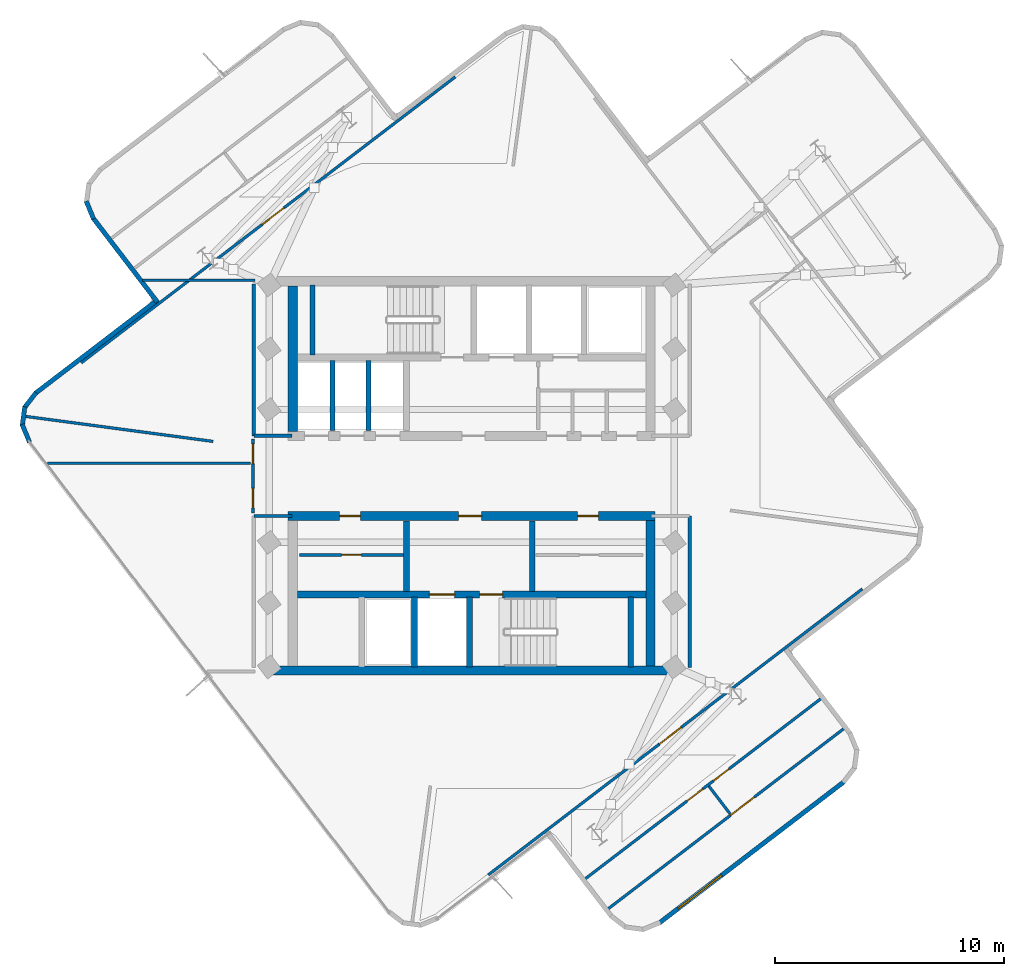
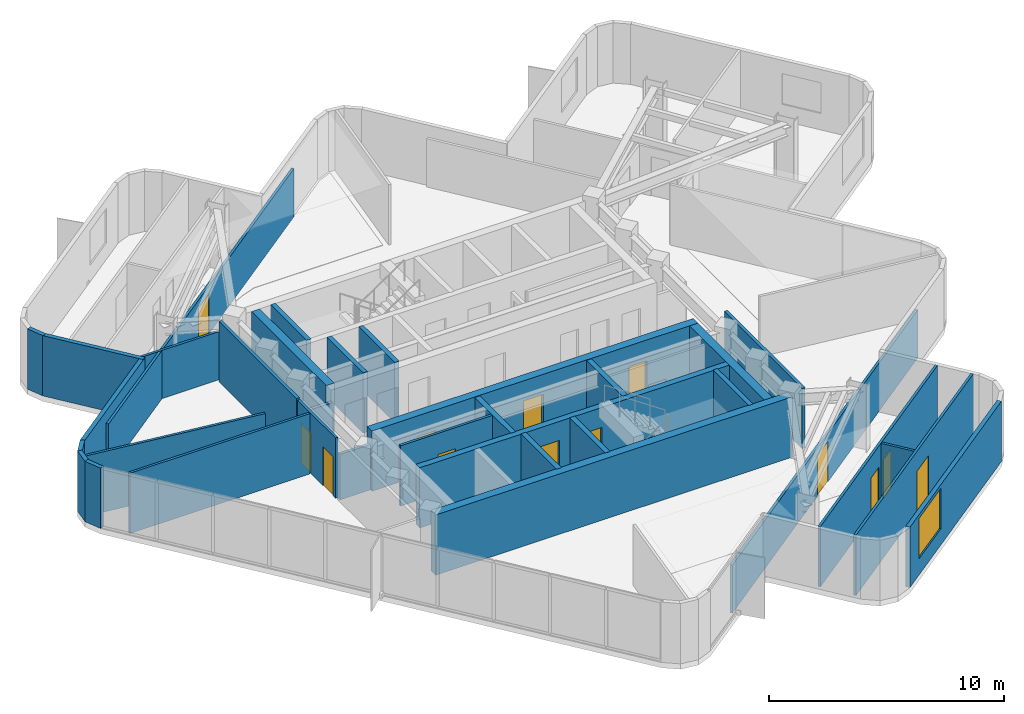
# One storey, part 5 of 9: 34 walls, 13 doors, 1 window, 14 openings.
"""IFC4 building model written with IfcOpenShell, lengths in metres."""

from ifc_helpers import new_model, si_unit, direction, frame, frame_2d, origin, place, context, subcontext, project, spatial, rectangle, extrude, material, layer, layer_set, type_object, element, fill, save


model = new_model("IFC4")

# Units and contexts
model_context = context("Model", 3, precision=1e-05, world=origin(), true_north=direction((0.0, 1.0)))
body_context = subcontext(model_context, "Body", "Model", "MODEL_VIEW")
ifc_project = project(units=[si_unit("LENGTHUNIT", "METRE"), si_unit("AREAUNIT", "SQUARE_METRE"), si_unit("VOLUMEUNIT", "CUBIC_METRE"), si_unit("PLANEANGLEUNIT", "RADIAN"), si_unit("MASSUNIT", "GRAM", prefix="KILO")], contexts=[model_context])

# Site, building, storey
site_placement = place(None, origin())
site = spatial("IfcSite", under=ifc_project, at=site_placement, CompositionType="ELEMENT")
building_placement = place(site_placement, origin())
building = spatial("IfcBuilding", under=site, at=building_placement, Name="Solmarez Civic Tower", CompositionType="ELEMENT")
storey_placement = place(building_placement, frame((0.0, 0.0, 229.139892578125)))
storey = spatial("IfcBuildingStorey", under=building, at=storey_placement, Name="L61", CompositionType="ELEMENT", Elevation=229.139892578125)

# Walls
ifc_material_1 = material(Name="Concrete C50/60", Category="concrete")
ifc_layer_1 = layer(ifc_material_1, 0.39990234375)
ifc_layer_set_1 = layer_set([ifc_layer_1], Name="Concrete C50/60")
wall_type_1 = type_object("IfcWallType", Name="WALL-CORE-400", PredefinedType="SHEAR", material=ifc_layer_set_1)
wall_1_placement = place(storey_placement, frame((-7.820068359375, 1.949951171875, 0.0), z_axis=(0.0, 0.0, 1.0), x_axis=(0.0, 1.0, 0.0)))
element("IfcWall", 1, at=wall_1_placement, inside=storey, type_object=wall_type_1, Name="L61 Split-Core Structural Wall NCW-W-L61", PredefinedType="SHEAR", context=body_context, shape_type="SweptSolid", body=[
    extrude(rectangle(XDim=6.360107421875, YDim=0.39990234375, at=frame_2d((3.18017578125, 0.0))), origin(), (0.0, 0.0, 1.0), 3.14013671875),
])
wall_2_placement = place(storey_placement, frame((8.780029296875, -8.510009765625, 0.0), z_axis=(0.0, 0.0, 1.0), x_axis=(-1.0, 0.0, 0.0)))
element("IfcWall", 2, at=wall_2_placement, inside=storey, type_object=wall_type_1, Name="L61 Split-Core Structural Wall SCW-S-L61", PredefinedType="SHEAR", context=body_context, shape_type="SweptSolid", body=[
    extrude(rectangle(XDim=17.56005859375, YDim=0.39990234375, at=frame_2d((8.780029296875, 0.0))), origin(), (0.0, 0.0, 1.0), 3.14013671875),
])

# Wall, openings, doors
wall_3_placement = place(storey_placement, frame((-8.02001953125, -1.75, 0.0), z_axis=(0.0, 0.0, 1.0), x_axis=(1.0, 0.0, 0.0)))
wall_3 = element("IfcWall", 3, at=wall_3_placement, inside=storey, type_object=wall_type_1, Name="L61 Split-Core Structural Wall SCW-N-L61", PredefinedType="SHEAR", context=body_context, shape_type="SweptSolid", body=[
    extrude(rectangle(XDim=16.0400390625, YDim=0.39990234375, at=frame_2d((8.02001953125, 0.0))), origin(), (0.0, 0.0, 1.0), 3.14013671875),
])
opening_1_placement = place(wall_3_placement, frame((7.449951171875, 0.0, 0.0)))
opening_1 = element("IfcOpeningElement", 4, at=opening_1_placement, cuts=wall_3, Name="Opening D-04", PredefinedType="OPENING", context=body_context, shape_type="SweptSolid", body=[
    extrude(rectangle(XDim=1.0, YDim=2.10009765625, at=frame_2d((0.5, 1.050048828125))), frame((0.0, 0.2099609375, 0.0), z_axis=(0.0, -1.0, 0.0), x_axis=(1.0, 0.0, 0.0)), (0.0, 0.0, 1.0), 0.419921875),
])
opening_2_placement = place(wall_3_placement, frame((12.64990234375, 0.0, 0.0)))
opening_2 = element("IfcOpeningElement", 5, at=opening_2_placement, cuts=wall_3, Name="Opening D-09", PredefinedType="OPENING", context=body_context, shape_type="SweptSolid", body=[
    extrude(rectangle(XDim=0.89990234375, YDim=2.06005859375, at=frame_2d((0.449951171875, 1.030029296875))), frame((0.0, 0.2099609375, 0.0), z_axis=(0.0, -1.0, 0.0), x_axis=(1.0, 0.0, 0.0)), (0.0, 0.0, 1.0), 0.419921875),
])
opening_3_placement = place(wall_3_placement, frame((2.25, 0.0, 0.0)))
opening_3 = element("IfcOpeningElement", 6, at=opening_3_placement, cuts=wall_3, Name="Opening D-09", PredefinedType="OPENING", context=body_context, shape_type="SweptSolid", body=[
    extrude(rectangle(XDim=0.89990234375, YDim=2.06005859375, at=frame_2d((0.449951171875, 1.030029296875))), frame((0.0, 0.2099609375, 0.0), z_axis=(0.0, -1.0, 0.0), x_axis=(1.0, 0.0, 0.0)), (0.0, 0.0, 1.0), 0.419921875),
])
ifc_material_2 = material(Name="Steel-Faced Acoustic Fire Door", Category="steel")
door_type_1 = type_object("IfcDoorType", Name="DOOR-FD60-1000", OperationType="NOTDEFINED", PredefinedType="DOOR", material=ifc_material_2)
door_1_placement = place(opening_1_placement, origin())
door_1 = element("IfcDoor", 7, at=door_1_placement, inside=storey, type_object=door_type_1, Name="L61 South Firefighting Lobby Door", OperationType="SINGLE_SWING_LEFT", OverallHeight=2.10009765625, OverallWidth=1.0, PredefinedType="DOOR", context=body_context, shape_type="SweptSolid", body=[
    extrude(rectangle(XDim=1.0, YDim=2.10009765625, at=frame_2d((0.5, 1.050048828125))), frame((0.0, 0.02490234375, 0.0), z_axis=(0.0, -1.0, 0.0), x_axis=(1.0, 0.0, 0.0)), (0.0, 0.0, 1.0), 0.050048828125),
])
fill(opening_1, door_1)
ifc_material_3 = material(Name="Fire-Rated Service Core Door", Category="wood")
door_type_2 = type_object("IfcDoorType", Name="DOOR-FD60-900", OperationType="NOTDEFINED", PredefinedType="DOOR", material=ifc_material_3)
door_2_placement = place(opening_2_placement, origin())
door_2 = element("IfcDoor", 8, at=door_2_placement, inside=storey, type_object=door_type_2, Name="L61 Freed Hoistway Mailroom Door", OperationType="SINGLE_SWING_LEFT", OverallHeight=2.06005859375, OverallWidth=0.89990234375, PredefinedType="DOOR", context=body_context, shape_type="SweptSolid", body=[
    extrude(rectangle(XDim=0.89990234375, YDim=2.06005859375, at=frame_2d((0.449951171875, 1.030029296875))), frame((0.0, 0.02490234375, 0.0), z_axis=(0.0, -1.0, 0.0), x_axis=(1.0, 0.0, 0.0)), (0.0, 0.0, 1.0), 0.050048828125),
])
fill(opening_2, door_2)
door_3_placement = place(opening_3_placement, origin())
door_3 = element("IfcDoor", 9, at=door_3_placement, inside=storey, type_object=door_type_2, Name="L61 Staff Kitchenette Pantry Door", OperationType="SINGLE_SWING_RIGHT", OverallHeight=2.06005859375, OverallWidth=0.89990234375, PredefinedType="DOOR", context=body_context, shape_type="SweptSolid", body=[
    extrude(rectangle(XDim=0.89990234375, YDim=2.06005859375, at=frame_2d((0.449951171875, 1.030029296875))), frame((0.0, 0.02490234375, 0.0), z_axis=(0.0, -1.0, 0.0), x_axis=(1.0, 0.0, 0.0)), (0.0, 0.0, 1.0), 0.050048828125),
])
fill(opening_3, door_3)

# Walls
wall_4_placement = place(storey_placement, frame((7.820068359375, -1.949951171875, 0.0), z_axis=(0.0, 0.0, 1.0), x_axis=(0.0, -1.0, 0.0)))
element("IfcWall", 10, at=wall_4_placement, inside=storey, type_object=wall_type_1, Name="L61 Split-Core Structural Wall SCW-E-L61", PredefinedType="SHEAR", context=body_context, shape_type="SweptSolid", body=[
    extrude(rectangle(XDim=6.360107421875, YDim=0.39990234375, at=frame_2d((3.18017578125, 0.0))), origin(), (0.0, 0.0, 1.0), 3.14013671875),
])
ifc_material_4 = material(Name="Precast concrete C40/50", Category="concrete")
ifc_layer_2 = layer(ifc_material_4, 0.199951171875)
ifc_layer_set_2 = layer_set([ifc_layer_2], Name="Precast concrete C40/50")
wall_type_2 = type_object("IfcWallType", Name="WALL-EXT-200", PredefinedType="SOLIDWALL", material=ifc_layer_set_2)
wall_5_placement = place(storey_placement, frame((-19.326904296875, 1.47802734375, 0.0), z_axis=(0.0, 0.0, 1.0), x_axis=(-0.382171551451, 0.924091394431, 0.0)))
element("IfcWall", 11, at=wall_5_placement, inside=storey, type_object=wall_type_2, Name="L61 Exterior Precast Wall 7", PredefinedType="SOLIDWALL", context=body_context, shape_type="SweptSolid", body=[
    extrude(rectangle(XDim=0.83740234375, YDim=0.199951171875, at=frame_2d((0.418701171875, 0.0))), origin(), (0.0, 0.0, 1.0), 3.14013671875),
])
wall_6_placement = place(storey_placement, frame((-19.639892578125, 2.2041015625, 0.0), z_axis=(0.0, 0.0, 1.0), x_axis=(0.130806653943, 0.99140789753, 0.0)))
element("IfcWall", 12, at=wall_6_placement, inside=storey, type_object=wall_type_2, Name="L61 Exterior Precast Wall 8", PredefinedType="SOLIDWALL", context=body_context, shape_type="SweptSolid", body=[
    extrude(rectangle(XDim=0.824951171875, YDim=0.199951171875, at=frame_2d((0.41259765625, 0.0))), origin(), (0.0, 0.0, 1.0), 3.14013671875),
])
wall_7_placement = place(storey_placement, frame((-19.550048828125, 2.97705078125, 0.0), z_axis=(0.0, 0.0, 1.0), x_axis=(0.609274558022, 0.792959338773, 0.0)))
element("IfcWall", 13, at=wall_7_placement, inside=storey, type_object=wall_type_2, Name="L61 Exterior Precast Wall 9", PredefinedType="SOLIDWALL", context=body_context, shape_type="SweptSolid", body=[
    extrude(rectangle(XDim=0.838623046875, YDim=0.199951171875, at=frame_2d((0.41943359375, 0.0))), origin(), (0.0, 0.0, 1.0), 3.14013671875),
])
wall_8_placement = place(storey_placement, frame((-19.073974609375, 3.60693359375, 0.0), z_axis=(0.0, 0.0, 1.0), x_axis=(0.794465731546, 0.607308983466, 0.0)))
element("IfcWall", 14, at=wall_8_placement, inside=storey, type_object=wall_type_2, Name="L61 Exterior Precast Wall 10", PredefinedType="SOLIDWALL", context=body_context, shape_type="SweptSolid", body=[
    extrude(rectangle(XDim=6.742919921875, YDim=0.199951171875, at=frame_2d((3.37158203125, 0.0))), origin(), (0.0, 0.0, 1.0), 3.14013671875),
])
wall_9_placement = place(storey_placement, frame((-13.73193359375, 7.589111328125, 0.0), z_axis=(0.0, 0.0, 1.0), x_axis=(-0.607428636372, 0.794374251669, 0.0)))
element("IfcWall", 15, at=wall_9_placement, inside=storey, type_object=wall_type_2, Name="L61 Exterior Precast Wall 13", PredefinedType="SOLIDWALL", context=body_context, shape_type="SweptSolid", body=[
    extrude(rectangle(XDim=4.642578125, YDim=0.199951171875, at=frame_2d((2.3212890625, 0.0))), origin(), (0.0, 0.0, 1.0), 3.14013671875),
])
wall_10_placement = place(storey_placement, frame((-16.527099609375, 11.23388671875, 0.0), z_axis=(0.0, 0.0, 1.0), x_axis=(-0.381408676087, 0.924406524104, 0.0)))
element("IfcWall", 16, at=wall_10_placement, inside=storey, type_object=wall_type_2, Name="L61 Exterior Precast Wall 14", PredefinedType="SOLIDWALL", context=body_context, shape_type="SweptSolid", body=[
    extrude(rectangle(XDim=0.838623046875, YDim=0.199951171875, at=frame_2d((0.41943359375, 0.0))), origin(), (0.0, 0.0, 1.0), 3.14013671875),
])

# Wall, opening, window
wall_11_placement = place(storey_placement, frame((16.27392578125, -13.363037109375, 0.0), z_axis=(0.0, 0.0, 1.0), x_axis=(-0.794458044917, -0.607319038781, 0.0)))
wall_11 = element("IfcWall", 17, at=wall_11_placement, inside=storey, type_object=wall_type_2, Name="L61 Exterior Precast Wall 53", PredefinedType="SOLIDWALL", context=body_context, shape_type="SweptSolid", body=[
    extrude(rectangle(XDim=10.1640625, YDim=0.199951171875, at=frame_2d((5.08203125, 0.0))), origin(), (0.0, 0.0, 1.0), 3.14013671875),
])
opening_4_placement = place(wall_11_placement, frame((6.72802734375, 0.0, 0.85009765625)))
opening_4 = element("IfcOpeningElement", 18, at=opening_4_placement, cuts=wall_11, Name="Opening W-02", PredefinedType="OPENING", context=body_context, shape_type="SweptSolid", body=[
    extrude(rectangle(XDim=2.39990234375, YDim=2.10009765625, at=frame_2d((1.199951171875, 1.050048828125))), frame((0.0, 0.10986328125, 0.0), z_axis=(0.0, -1.0, 0.0), x_axis=(1.0, 0.0, 0.0)), (0.0, 0.0, 1.0), 0.219970703125),
])
ifc_material_5 = material(Name="Solar Control Bronze-Tinted Insulating Glass", Category="glass")
window_type = type_object("IfcWindowType", Name="WIN-2400X2100", PartitioningType="SINGLE_PANEL", PredefinedType="WINDOW", material=ifc_material_5)
window_placement = place(opening_4_placement, origin())
window = element("IfcWindow", 19, at=window_placement, inside=storey, type_object=window_type, Name="L61 Exterior Facade Window 53", OverallHeight=2.10009765625, OverallWidth=2.39990234375, PartitioningType="SINGLE_PANEL", PredefinedType="WINDOW", context=body_context, shape_type="SweptSolid", body=[
    extrude(rectangle(XDim=2.39990234375, YDim=2.10009765625, at=frame_2d((1.199951171875, 1.050048828125))), frame((0.0, 0.030029296875, 0.0), z_axis=(0.0, -1.0, 0.0), x_axis=(1.0, 0.0, 0.0)), (0.0, 0.0, 1.0), 0.06005859375),
])
fill(opening_4, window)

# Walls
ifc_material_6 = material(Name="Gypsum Board Acoustic Steel-Stud Partition", Category="steel")
ifc_layer_3 = layer(ifc_material_6, 0.14990234375)
ifc_layer_set_3 = layer_set([ifc_layer_3], Name="Gypsum Board Acoustic Steel-Stud Partition")
wall_type_3 = type_object("IfcWallType", Name="WALL-INT-FIRE-150", PredefinedType="PARTITIONING", material=ifc_layer_set_3)
wall_12_placement = place(storey_placement, frame((-9.52001953125, 1.75, 0.0), z_axis=(0.0, 0.0, 1.0), x_axis=(0.0, 1.0, 0.0)))
element("IfcWall", 20, at=wall_12_placement, inside=storey, type_object=wall_type_3, Name="L61 Interior Partition CHW-L61-WN1", PredefinedType="PARTITIONING", context=body_context, shape_type="SweptSolid", body=[
    extrude(rectangle(XDim=6.6298828125, YDim=0.14990234375, at=frame_2d((3.31494140625, 0.0))), origin(), (0.0, 0.0, 1.0), 3.14013671875),
])
for number, where, z_axis, x_axis, name in (
    (21, (-7.85009765625, 1.75, 0.0), (0.0, 0.0, 1.0), (-1.0, 0.0, 0.0), "L61 Interior Partition CHW-L61-WN3"),
    (22, (-7.85009765625, -1.75, 0.0), (0.0, 0.0, 1.0), (-1.0, 0.0, 0.0), "L61 Interior Partition CHW-L61-WS3"),
):
    element("IfcWall", number, at=place(storey_placement, frame(where, z_axis=z_axis, x_axis=x_axis)), inside=storey, type_object=wall_type_3, Name=name, PredefinedType="PARTITIONING", context=body_context, shape_type="SweptSolid", body=[
        extrude(rectangle(XDim=1.669921875, YDim=0.14990234375, at=frame_2d((0.8349609375, 0.0))), origin(), (0.0, 0.0, 1.0), 2.3701171875),
    ])
wall_13_placement = place(storey_placement, frame((9.52001953125, -8.3798828125, 0.0), z_axis=(0.0, 0.0, 1.0), x_axis=(0.0, 1.0, 0.0)))
element("IfcWall", 23, at=wall_13_placement, inside=storey, type_object=wall_type_3, Name="L61 Interior Partition CHW-L61-ES1", PredefinedType="PARTITIONING", context=body_context, shape_type="SweptSolid", body=[
    extrude(rectangle(XDim=6.6298828125, YDim=0.14990234375, at=frame_2d((3.31494140625, 0.0))), origin(), (0.0, 0.0, 1.0), 3.14013671875),
])

# Wall, opening, door
ifc_layer_4 = layer(ifc_material_6, 0.1201171875)
ifc_layer_set_4 = layer_set([ifc_layer_4], Name="Gypsum Board Acoustic Steel-Stud Partition")
wall_type_4 = type_object("IfcWallType", Name="WALL-INT-PART-120", PredefinedType="PARTITIONING", material=ifc_layer_set_4)
wall_14_placement = place(storey_placement, frame((-7.52001953125, -3.449951171875, 0.0), z_axis=(0.0, 0.0, 1.0), x_axis=(1.0, 0.0, 0.0)))
wall_14 = element("IfcWall", 24, at=wall_14_placement, inside=storey, type_object=wall_type_4, Name="L61 Interior Partition PT-FPLM-L61", PredefinedType="PARTITIONING", context=body_context, shape_type="SweptSolid", body=[
    extrude(rectangle(XDim=4.5400390625, YDim=0.1201171875, at=frame_2d((2.27001953125, 0.0))), origin(), (0.0, 0.0, 1.0), 3.14013671875),
])
opening_5_placement = place(wall_14_placement, frame((1.840087890625, 0.0, 0.0)))
opening_5 = element("IfcOpeningElement", 25, at=opening_5_placement, cuts=wall_14, Name="Opening D-14", PredefinedType="OPENING", context=body_context, shape_type="SweptSolid", body=[
    extrude(rectangle(XDim=0.860107421875, YDim=2.0400390625, at=frame_2d((0.43017578125, 1.02001953125))), frame((0.0, 0.070068359375, 0.0), z_axis=(0.0, -1.0, 0.0), x_axis=(1.0, 0.0, 0.0)), (0.0, 0.0, 1.0), 0.14013671875),
])
ifc_material_7 = material(Name="Timber Storage and Pantry Door", Category="wood")
door_type_3 = type_object("IfcDoorType", Name="DOOR-INT-850", OperationType="NOTDEFINED", PredefinedType="DOOR", material=ifc_material_7)
door_4_placement = place(opening_5_placement, origin())
door_4 = element("IfcDoor", 26, at=door_4_placement, inside=storey, type_object=door_type_3, Name="L61 Directorate Copy Office Door", OperationType="SINGLE_SWING_RIGHT", OverallHeight=2.0400390625, OverallWidth=0.860107421875, PredefinedType="DOOR", context=body_context, shape_type="SweptSolid", body=[
    extrude(rectangle(XDim=0.860107421875, YDim=2.0400390625, at=frame_2d((0.43017578125, 1.02001953125))), frame((0.0, 0.02490234375, 0.0), z_axis=(0.0, -1.0, 0.0), x_axis=(1.0, 0.0, 0.0)), (0.0, 0.0, 1.0), 0.050048828125),
])
fill(opening_5, door_4)

# Walls
wall_15_placement = place(storey_placement, frame((-18.528076171875, 0.550048828125, 0.0), z_axis=(0.0, 0.0, 1.0), x_axis=(1.0, 0.0, 0.0)))
element("IfcWall", 27, at=wall_15_placement, inside=storey, type_object=wall_type_4, Name="L61 Interior Partition PT-L61-WH-DIV", PredefinedType="PARTITIONING", context=body_context, shape_type="SweptSolid", body=[
    extrude(rectangle(XDim=8.8681640625, YDim=0.1201171875, at=frame_2d((4.43408203125, 0.0))), origin(), (0.0, 0.0, 1.0), 3.14013671875),
])
wall_16_placement = place(storey_placement, frame((-14.385986328125, 8.550048828125, 0.0), z_axis=(0.0, 0.0, 1.0), x_axis=(1.0, 0.0, 0.0)))
element("IfcWall", 28, at=wall_16_placement, inside=storey, type_object=wall_type_4, Name="L61 Interior Partition PT-L61-WH-BN", PredefinedType="PARTITIONING", context=body_context, shape_type="SweptSolid", body=[
    extrude(rectangle(XDim=4.906005859375, YDim=0.1201171875, at=frame_2d((2.453125, 0.0))), origin(), (0.0, 0.0, 1.0), 2.510009765625),
])

# Wall, openings, doors
wall_17_placement = place(storey_placement, frame((-9.56005859375, -1.6201171875, 0.0), z_axis=(0.0, 0.0, 1.0), x_axis=(0.0, 1.0, 0.0)))
wall_17 = element("IfcWall", 29, at=wall_17_placement, inside=storey, type_object=wall_type_4, Name="L61 Interior Partition PT-L61-WH-ENT", PredefinedType="PARTITIONING", context=body_context, shape_type="SweptSolid", body=[
    extrude(rectangle(XDim=3.240234375, YDim=0.1201171875, at=frame_2d((1.6201171875, 0.0))), origin(), (0.0, 0.0, 1.0), 3.14013671875),
])
opening_6_placement = place(wall_17_placement, frame((0.219970703125, 0.0, 0.0)))
opening_6 = element("IfcOpeningElement", 30, at=opening_6_placement, cuts=wall_17, Name="Opening D-14", PredefinedType="OPENING", context=body_context, shape_type="SweptSolid", body=[
    extrude(rectangle(XDim=0.860107421875, YDim=2.0400390625, at=frame_2d((0.43017578125, 1.02001953125))), frame((0.0, 0.070068359375, 0.0), z_axis=(0.0, -1.0, 0.0), x_axis=(1.0, 0.0, 0.0)), (0.0, 0.0, 1.0), 0.14013671875),
])
opening_7_placement = place(wall_17_placement, frame((2.159912109375, 0.0, 0.0)))
opening_7 = element("IfcOpeningElement", 31, at=opening_7_placement, cuts=wall_17, Name="Opening D-14", PredefinedType="OPENING", context=body_context, shape_type="SweptSolid", body=[
    extrude(rectangle(XDim=0.860107421875, YDim=2.0400390625, at=frame_2d((0.43017578125, 1.02001953125))), frame((0.0, 0.070068359375, 0.0), z_axis=(0.0, -1.0, 0.0), x_axis=(1.0, 0.0, 0.0)), (0.0, 0.0, 1.0), 0.14013671875),
])
door_5_placement = place(opening_6_placement, origin())
door_5 = element("IfcDoor", 32, at=door_5_placement, inside=storey, type_object=door_type_3, Name="L61 Policy Administration Office West Second Door", OperationType="SINGLE_SWING_RIGHT", OverallHeight=2.0400390625, OverallWidth=0.860107421875, PredefinedType="DOOR", context=body_context, shape_type="SweptSolid", body=[
    extrude(rectangle(XDim=0.860107421875, YDim=2.0400390625, at=frame_2d((0.43017578125, 1.02001953125))), frame((0.0, 0.02490234375, 0.0), z_axis=(0.0, -1.0, 0.0), x_axis=(1.0, 0.0, 0.0)), (0.0, 0.0, 1.0), 0.050048828125),
])
fill(opening_6, door_5)
door_6_placement = place(opening_7_placement, origin())
door_6 = element("IfcDoor", 33, at=door_6_placement, inside=storey, type_object=door_type_3, Name="L61 Legal Study Room West First Door", OperationType="SINGLE_SWING_LEFT", OverallHeight=2.0400390625, OverallWidth=0.860107421875, PredefinedType="DOOR", context=body_context, shape_type="SweptSolid", body=[
    extrude(rectangle(XDim=0.860107421875, YDim=2.0400390625, at=frame_2d((0.43017578125, 1.02001953125))), frame((0.0, 0.02490234375, 0.0), z_axis=(0.0, -1.0, 0.0), x_axis=(1.0, 0.0, 0.0)), (0.0, 0.0, 1.0), 0.050048828125),
])
fill(opening_7, door_6)

# Wall
wall_18_placement = place(storey_placement, frame((-11.300048828125, 1.508056640625, 0.0), z_axis=(0.0, 0.0, 1.0), x_axis=(-0.99121735818, 0.132242764804, 0.0)))
element("IfcWall", 34, at=wall_18_placement, inside=storey, type_object=wall_type_4, Name="L61 Interior Partition PT-L61-QDIV-2", PredefinedType="PARTITIONING", context=body_context, shape_type="SweptSolid", body=[
    extrude(rectangle(XDim=8.294677734375, YDim=0.1201171875, at=frame_2d((4.1474609375, 0.0))), origin(), (0.0, 0.0, 1.0), 3.14013671875),
])

# Wall, opening, door
wall_19_placement = place(storey_placement, frame((-17.068115234375, 4.93896484375, 0.0), z_axis=(0.0, 0.0, 1.0), x_axis=(0.794433927634, 0.607350586255, 0.0)))
wall_19 = element("IfcWall", 35, at=wall_19_placement, inside=storey, type_object=wall_type_4, Name="L61 Interior Partition PT-L61-N-ENT", PredefinedType="PARTITIONING", context=body_context, shape_type="SweptSolid", body=[
    extrude(rectangle(XDim=20.57958984375, YDim=0.1201171875, at=frame_2d((10.289794921875, 0.0))), origin(), (0.0, 0.0, 1.0), 2.510009765625),
])
opening_8_placement = place(wall_19_placement, frame((9.9599609375, 0.0, 0.0)))
opening_8 = element("IfcOpeningElement", 36, at=opening_8_placement, cuts=wall_19, Name="Opening D-11", PredefinedType="OPENING", context=body_context, shape_type="SweptSolid", body=[
    extrude(rectangle(XDim=1.199951171875, YDim=2.10009765625, at=frame_2d((0.60009765625, 1.050048828125))), frame((0.0, 0.070068359375, 0.0), z_axis=(0.0, -1.0, 0.0), x_axis=(1.0, 0.0, 0.0)), (0.0, 0.0, 1.0), 0.14013671875),
])
ifc_material_8 = material(Name="Glazed-Vision Acoustic Chamber Door", Category="wood")
door_type_4 = type_object("IfcDoorType", Name="DOOR-INT-1200", OperationType="NOTDEFINED", PredefinedType="DOOR", material=ifc_material_8)
door_7_placement = place(opening_8_placement, origin())
door_7 = element("IfcDoor", 37, at=door_7_placement, inside=storey, type_object=door_type_4, Name="L61 Public Reading Room First North Door", OperationType="SINGLE_SWING_LEFT", OverallHeight=2.10009765625, OverallWidth=1.199951171875, PredefinedType="DOOR", context=body_context, shape_type="SweptSolid", body=[
    extrude(rectangle(XDim=1.199951171875, YDim=2.10009765625, at=frame_2d((0.60009765625, 1.050048828125))), frame((0.0, 0.02490234375, 0.0), z_axis=(0.0, -1.0, 0.0), x_axis=(1.0, 0.0, 0.0)), (0.0, 0.0, 1.0), 0.050048828125),
])
fill(opening_8, door_7)

wall_20_placement = place(storey_placement, frame((17.068115234375, -4.93896484375, 0.0), z_axis=(0.0, 0.0, 1.0), x_axis=(-0.794433927634, -0.607350586255, 0.0)))
wall_20 = element("IfcWall", 38, at=wall_20_placement, inside=storey, type_object=wall_type_4, Name="L61 Interior Partition PT-L61-S-ENT", PredefinedType="PARTITIONING", context=body_context, shape_type="SweptSolid", body=[
    extrude(rectangle(XDim=20.57958984375, YDim=0.1201171875, at=frame_2d((10.289794921875, 0.0))), origin(), (0.0, 0.0, 1.0), 2.510009765625),
])
opening_9_placement = place(wall_20_placement, frame((9.9599609375, 0.0, 0.0)))
opening_9 = element("IfcOpeningElement", 39, at=opening_9_placement, cuts=wall_20, Name="Opening D-11", PredefinedType="OPENING", context=body_context, shape_type="SweptSolid", body=[
    extrude(rectangle(XDim=1.199951171875, YDim=2.10009765625, at=frame_2d((0.60009765625, 1.050048828125))), frame((0.0, 0.070068359375, 0.0), z_axis=(0.0, -1.0, 0.0), x_axis=(1.0, 0.0, 0.0)), (0.0, 0.0, 1.0), 0.14013671875),
])
door_8_placement = place(opening_9_placement, origin())
door_8 = element("IfcDoor", 40, at=door_8_placement, inside=storey, type_object=door_type_4, Name="L61 Policy Administration Office First South Door", OperationType="SINGLE_SWING_LEFT", OverallHeight=2.10009765625, OverallWidth=1.199951171875, PredefinedType="DOOR", context=body_context, shape_type="SweptSolid", body=[
    extrude(rectangle(XDim=1.199951171875, YDim=2.10009765625, at=frame_2d((0.60009765625, 1.050048828125))), frame((0.0, 0.02490234375, 0.0), z_axis=(0.0, -1.0, 0.0), x_axis=(1.0, 0.0, 0.0)), (0.0, 0.0, 1.0), 0.050048828125),
])
fill(opening_9, door_8)

# Wall
wall_21_placement = place(storey_placement, frame((10.362060546875, -13.552978515625, 0.0), z_axis=(0.0, 0.0, 1.0), x_axis=(0.6073553069, -0.794430318644, 0.0)))
element("IfcWall", 41, at=wall_21_placement, inside=storey, type_object=wall_type_4, Name="L61 Interior Partition PT-L61-S-MM", PredefinedType="PARTITIONING", context=body_context, shape_type="SweptSolid", body=[
    extrude(rectangle(XDim=1.529541015625, YDim=0.1201171875, at=frame_2d((0.7646484375, 0.0))), origin(), (0.0, 0.0, 1.0), 3.14013671875),
])

# Wall, openings, doors
wall_22_placement = place(storey_placement, frame((4.943115234375, -17.6201171875, 0.0), z_axis=(0.0, 0.0, 1.0), x_axis=(0.79442653656, 0.607360253893, 0.0)))
wall_22 = element("IfcWall", 42, at=wall_22_placement, inside=storey, type_object=wall_type_4, Name="L61 Interior Partition PT-L61-S-S1", PredefinedType="PARTITIONING", context=body_context, shape_type="SweptSolid", body=[
    extrude(rectangle(XDim=13.010498046875, YDim=0.1201171875, at=frame_2d((6.50537109375, 0.0))), origin(), (0.0, 0.0, 1.0), 3.14013671875),
])
opening_10_placement = place(wall_22_placement, frame((5.625, 0.0, 0.0)))
opening_10 = element("IfcOpeningElement", 43, at=opening_10_placement, cuts=wall_22, Name="Opening D-14", PredefinedType="OPENING", context=body_context, shape_type="SweptSolid", body=[
    extrude(rectangle(XDim=0.860107421875, YDim=2.0400390625, at=frame_2d((0.43017578125, 1.02001953125))), frame((0.0, 0.070068359375, 0.0), z_axis=(0.0, -1.0, 0.0), x_axis=(1.0, 0.0, 0.0)), (0.0, 0.0, 1.0), 0.14013671875),
])
opening_11_placement = place(wall_22_placement, frame((7.06494140625, 0.0, 0.0)))
opening_11 = element("IfcOpeningElement", 44, at=opening_11_placement, cuts=wall_22, Name="Opening D-14", PredefinedType="OPENING", context=body_context, shape_type="SweptSolid", body=[
    extrude(rectangle(XDim=0.860107421875, YDim=2.0400390625, at=frame_2d((0.43017578125, 1.02001953125))), frame((0.0, 0.070068359375, 0.0), z_axis=(0.0, -1.0, 0.0), x_axis=(1.0, 0.0, 0.0)), (0.0, 0.0, 1.0), 0.14013671875),
])
door_9_placement = place(opening_10_placement, origin())
door_9 = element("IfcDoor", 45, at=door_9_placement, inside=storey, type_object=door_type_3, Name="L61 Public Reading Room Third South Door", OperationType="SINGLE_SWING_RIGHT", OverallHeight=2.0400390625, OverallWidth=0.860107421875, PredefinedType="DOOR", context=body_context, shape_type="SweptSolid", body=[
    extrude(rectangle(XDim=0.860107421875, YDim=2.0400390625, at=frame_2d((0.43017578125, 1.02001953125))), frame((0.0, 0.02490234375, 0.0), z_axis=(0.0, -1.0, 0.0), x_axis=(1.0, 0.0, 0.0)), (0.0, 0.0, 1.0), 0.050048828125),
])
fill(opening_10, door_9)
door_10_placement = place(opening_11_placement, origin())
door_10 = element("IfcDoor", 46, at=door_10_placement, inside=storey, type_object=door_type_3, Name="L61 Municipal Law Library Second South Door", OperationType="SINGLE_SWING_LEFT", OverallHeight=2.0400390625, OverallWidth=0.860107421875, PredefinedType="DOOR", context=body_context, shape_type="SweptSolid", body=[
    extrude(rectangle(XDim=0.860107421875, YDim=2.0400390625, at=frame_2d((0.43017578125, 1.02001953125))), frame((0.0, 0.02490234375, 0.0), z_axis=(0.0, -1.0, 0.0), x_axis=(1.0, 0.0, 0.0)), (0.0, 0.0, 1.0), 0.050048828125),
])
fill(opening_11, door_10)

# Wall, opening, door
wall_23_placement = place(storey_placement, frame((16.281005859375, -11.029052734375, 0.0), z_axis=(0.0, 0.0, 1.0), x_axis=(-0.794435590649, -0.607348410973, 0.0)))
wall_23 = element("IfcWall", 47, at=wall_23_placement, inside=storey, type_object=wall_type_4, Name="L61 Interior Partition PT-L61-S-S2", PredefinedType="PARTITIONING", context=body_context, shape_type="SweptSolid", body=[
    extrude(rectangle(XDim=13.010498046875, YDim=0.1201171875, at=frame_2d((6.50537109375, 0.0))), origin(), (0.0, 0.0, 1.0), 3.14013671875),
])
opening_12_placement = place(wall_23_placement, frame((4.9599609375, 0.0, 0.0)))
opening_12 = element("IfcOpeningElement", 48, at=opening_12_placement, cuts=wall_23, Name="Opening D-15", PredefinedType="OPENING", context=body_context, shape_type="SweptSolid", body=[
    extrude(rectangle(XDim=1.300048828125, YDim=2.10009765625, at=frame_2d((0.64990234375, 1.050048828125))), frame((0.0, 0.070068359375, 0.0), z_axis=(0.0, -1.0, 0.0), x_axis=(1.0, 0.0, 0.0)), (0.0, 0.0, 1.0), 0.14013671875),
])
ifc_material_9 = material(Name="Tribunal Hearing Conference Door", Category="wood")
door_type_5 = type_object("IfcDoorType", Name="DOOR-INT-1300", OperationType="NOTDEFINED", PredefinedType="DOOR", material=ifc_material_9)
door_11_placement = place(opening_12_placement, origin())
door_11 = element("IfcDoor", 49, at=door_11_placement, inside=storey, type_object=door_type_5, Name="L61 Legal Study Room Fourth South Door", OperationType="SINGLE_SWING_LEFT", OverallHeight=2.10009765625, OverallWidth=1.300048828125, PredefinedType="DOOR", context=body_context, shape_type="SweptSolid", body=[
    extrude(rectangle(XDim=1.300048828125, YDim=2.10009765625, at=frame_2d((0.64990234375, 1.050048828125))), frame((0.0, 0.02490234375, 0.0), z_axis=(0.0, -1.0, 0.0), x_axis=(1.0, 0.0, 0.0)), (0.0, 0.0, 1.0), 0.050048828125),
])
fill(opening_12, door_11)

# Wall, openings, doors
ifc_layer_5 = layer(ifc_material_1, 0.300048828125)
ifc_layer_set_5 = layer_set([ifc_layer_5], Name="Concrete C50/60")
wall_type_5 = type_object("IfcWallType", Name="WALL-STR-300", PredefinedType="SOLIDWALL", material=ifc_layer_set_5)
wall_24_placement = place(storey_placement, frame((-7.6201171875, -5.179931640625, 0.0), z_axis=(0.0, 0.0, 1.0), x_axis=(1.0, 0.0, 0.0)))
wall_24 = element("IfcWall", 50, at=wall_24_placement, inside=storey, type_object=wall_type_5, Name="L61 Split-Core Structural Wall SCW-M-L61", PredefinedType="SOLIDWALL", context=body_context, shape_type="SweptSolid", body=[
    extrude(rectangle(XDim=15.240234375, YDim=0.300048828125, at=frame_2d((7.6201171875, 0.0))), origin(), (0.0, 0.0, 1.0), 3.14013671875),
])
opening_13_placement = place(wall_24_placement, frame((5.77001953125, 0.0, 0.0)))
opening_13 = element("IfcOpeningElement", 51, at=opening_13_placement, cuts=wall_24, Name="Opening LD-02", PredefinedType="OPENING", context=body_context, shape_type="SweptSolid", body=[
    extrude(rectangle(XDim=1.10009765625, YDim=2.14990234375, at=frame_2d((0.550048828125, 1.074951171875))), frame((0.0, 0.159912109375, 0.0), z_axis=(0.0, -1.0, 0.0), x_axis=(1.0, 0.0, 0.0)), (0.0, 0.0, 1.0), 0.320068359375),
])
opening_14_placement = place(wall_24_placement, frame((7.969970703125, 0.0, 0.0)))
opening_14 = element("IfcOpeningElement", 52, at=opening_14_placement, cuts=wall_24, Name="Opening D-05", PredefinedType="OPENING", context=body_context, shape_type="SweptSolid", body=[
    extrude(rectangle(XDim=1.0, YDim=2.10009765625, at=frame_2d((0.5, 1.050048828125))), frame((0.0, 0.159912109375, 0.0), z_axis=(0.0, -1.0, 0.0), x_axis=(1.0, 0.0, 0.0)), (0.0, 0.0, 1.0), 0.320068359375),
])
ifc_material_10 = material(Name="Fire-Rated Stairwell Exit Door", Category="wood")
door_type_6 = type_object("IfcDoorType", Name="DOOR-FD90-1000", OperationType="NOTDEFINED", PredefinedType="DOOR", material=ifc_material_10)
door_12_placement = place(opening_14_placement, origin())
door_12 = element("IfcDoor", 53, at=door_12_placement, inside=storey, type_object=door_type_6, Name="L61 South Exit Stair Door ST-2", OperationType="SINGLE_SWING_LEFT", OverallHeight=2.10009765625, OverallWidth=1.0, PredefinedType="DOOR", context=body_context, shape_type="SweptSolid", body=[
    extrude(rectangle(XDim=1.0, YDim=2.10009765625, at=frame_2d((0.5, 1.050048828125))), frame((0.0, 0.02490234375, 0.0), z_axis=(0.0, -1.0, 0.0), x_axis=(1.0, 0.0, 0.0)), (0.0, 0.0, 1.0), 0.050048828125),
])
fill(opening_14, door_12)
ifc_material_11 = material(Name="Stainless Firefighting Lift Landing Sliding Door", Category="aluminium")
door_type_7 = type_object("IfcDoorType", Name="DOOR-LD-FF-1100", OperationType="DOUBLE_DOOR_SLIDING", PredefinedType="DOOR", material=ifc_material_11)
door_13_placement = place(opening_13_placement, origin())
door_13 = element("IfcDoor", 54, at=door_13_placement, inside=storey, type_object=door_type_7, Name="L61 Firefighting Lift Landing Door FFL-2", OperationType="DOUBLE_DOOR_SLIDING", OverallHeight=2.14990234375, OverallWidth=1.10009765625, PredefinedType="DOOR", context=body_context, shape_type="SweptSolid", body=[
    extrude(rectangle(XDim=1.10009765625, YDim=2.14990234375, at=frame_2d((0.550048828125, 1.074951171875))), frame((0.0, 0.02490234375, 0.0), z_axis=(0.0, -1.0, 0.0), x_axis=(1.0, 0.0, 0.0)), (0.0, 0.0, 1.0), 0.050048828125),
])
fill(opening_13, door_13)

# Walls
for number, where, z_axis, x_axis, name in (
    (55, (-6.949951171875, 5.280029296875, 0.0), (0.0, 0.0, 1.0), (0.0, 1.0, 0.0), "L61 Split-Core Structural Wall SHW-NW-L61"),
    (56, (6.949951171875, -8.340087890625, 0.0), (0.0, 0.0, 1.0), (0.0, 1.0, 0.0), "L61 Split-Core Structural Wall SHW-SE-L61"),
):
    element("IfcWall", number, at=place(storey_placement, frame(where, z_axis=z_axis, x_axis=x_axis)), inside=storey, type_object=wall_type_5, Name=name, PredefinedType="SOLIDWALL", context=body_context, shape_type="SweptSolid", body=[
        extrude(rectangle(XDim=3.06005859375, YDim=0.219970703125, at=frame_2d((1.530029296875, 0.0))), origin(), (0.0, 0.0, 1.0), 3.14013671875),
    ])
for number, where, z_axis, x_axis, name in (
    (57, (-0.10009765625, -8.340087890625, 0.0), (0.0, 0.0, 1.0), (0.0, 1.0, 0.0), "L61 Split-Core Structural Wall SHW-S1-L61"),
    (58, (-2.5, -8.340087890625, 0.0), (0.0, 0.0, 1.0), (0.0, 1.0, 0.0), "L61 Split-Core Structural Wall SHW-S2-L61"),
):
    element("IfcWall", number, at=place(storey_placement, frame(where, z_axis=z_axis, x_axis=x_axis)), inside=storey, type_object=wall_type_5, Name=name, PredefinedType="SOLIDWALL", context=body_context, shape_type="SweptSolid", body=[
        extrude(rectangle(XDim=3.0400390625, YDim=0.25, at=frame_2d((1.52001953125, 0.0))), origin(), (0.0, 0.0, 1.0), 3.14013671875),
    ])
for number, where, z_axis, x_axis, name in (
    (59, (-2.85009765625, -5.050048828125, 0.0), (0.0, 0.0, 1.0), (0.0, 1.0, 0.0), "L61 Split-Core Structural Wall SHW-SL1-L61"),
    (60, (2.64990234375, -5.050048828125, 0.0), (0.0, 0.0, 1.0), (0.0, 1.0, 0.0), "L61 Split-Core Structural Wall SHW-SL2-L61"),
):
    element("IfcWall", number, at=place(storey_placement, frame(where, z_axis=z_axis, x_axis=x_axis)), inside=storey, type_object=wall_type_5, Name=name, PredefinedType="SOLIDWALL", context=body_context, shape_type="SweptSolid", body=[
        extrude(rectangle(XDim=3.070068359375, YDim=0.25, at=frame_2d((1.53515625, 0.0))), origin(), (0.0, 0.0, 1.0), 3.14013671875),
    ])
for number, where, z_axis, x_axis, name in (
    (61, (-6.080078125, 1.97998046875, 0.0), (0.0, 0.0, 1.0), (0.0, 1.0, 0.0), "L61 Split-Core Structural Wall SHW-PLH-L61-1"),
    (62, (-4.52001953125, 1.97998046875, 0.0), (0.0, 0.0, 1.0), (0.0, 1.0, 0.0), "L61 Split-Core Structural Wall SHW-PLH-L61-2"),
):
    element("IfcWall", number, at=place(storey_placement, frame(where, z_axis=z_axis, x_axis=x_axis)), inside=storey, type_object=wall_type_5, Name=name, PredefinedType="SOLIDWALL", context=body_context, shape_type="SweptSolid", body=[
        extrude(rectangle(XDim=3.070068359375, YDim=0.219970703125, at=frame_2d((1.53515625, 0.0))), origin(), (0.0, 0.0, 1.0), 3.14013671875),
    ])

save(model, "model.ifc")
